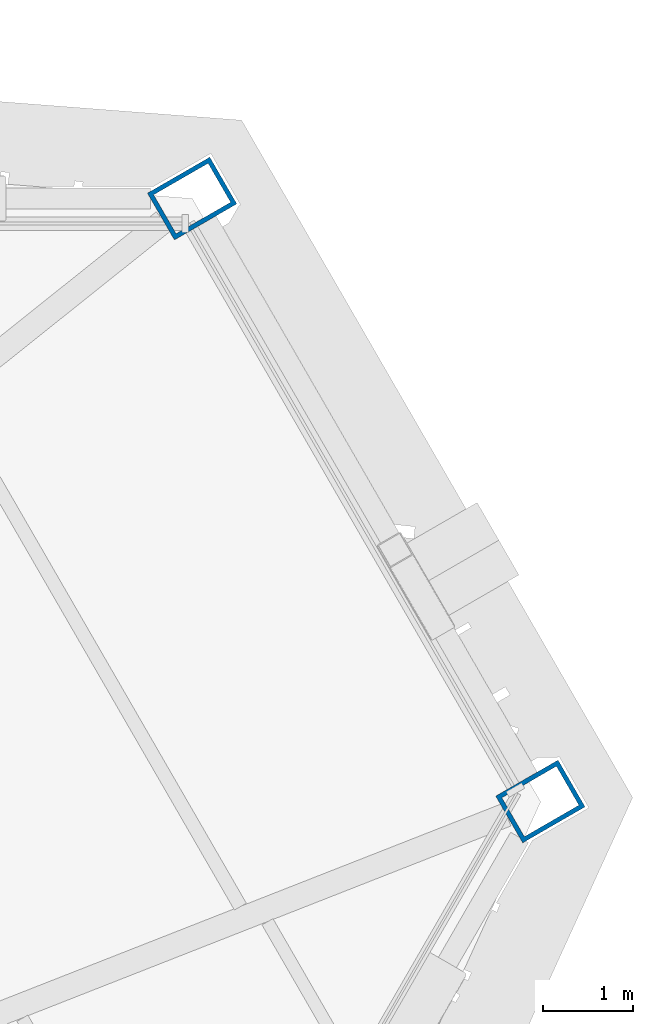
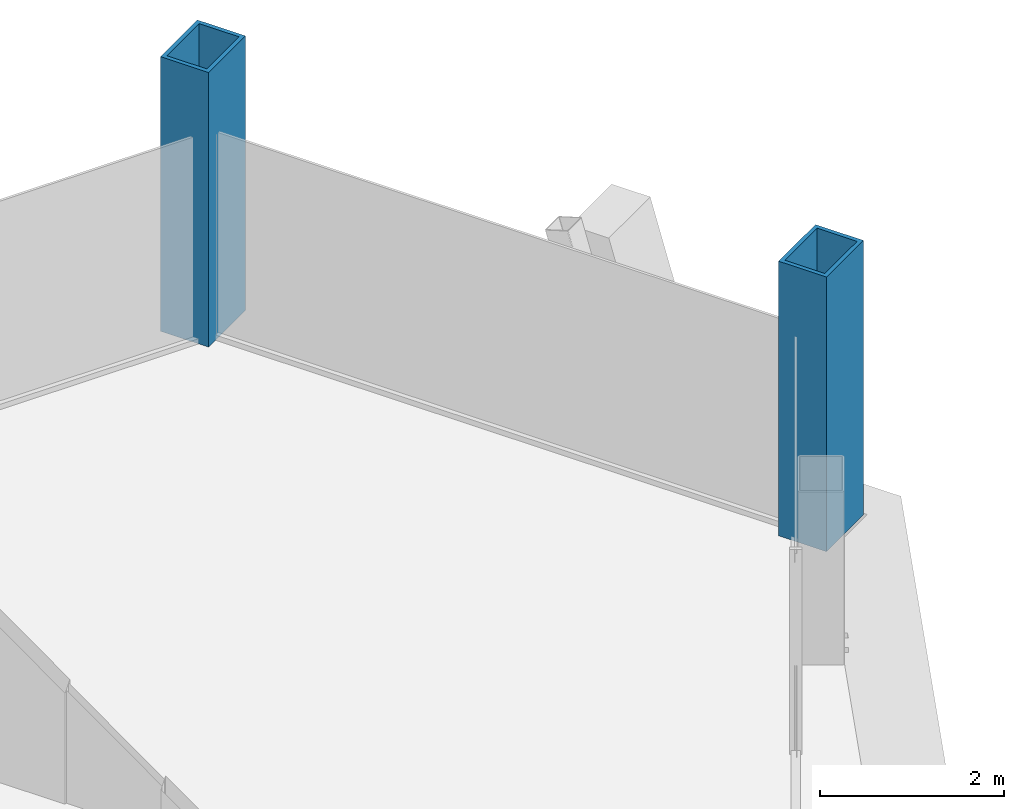
# One storey, part 2 of 17: 2 columns.
"""IFC4 building model written with IfcOpenShell, lengths in metres."""

from ifc_helpers import new_model, si_unit, direction, frame, origin, origin_2d, place, context, subcontext, project, spatial, hollow_rectangle, extrude, material, material_profile, profile_set, type_object, element, save


model = new_model("IFC4")

# Units and contexts
model_context = context("Model", 3, precision=1e-05, world=origin(), true_north=direction((0.0, 1.0)))
body_context = subcontext(model_context, "Body", "Model", "MODEL_VIEW")
ifc_project = project(units=[si_unit("LENGTHUNIT", "METRE"), si_unit("AREAUNIT", "SQUARE_METRE"), si_unit("VOLUMEUNIT", "CUBIC_METRE"), si_unit("PLANEANGLEUNIT", "RADIAN"), si_unit("MASSUNIT", "GRAM", prefix="KILO")], contexts=[model_context])

# Site, building, storey
site_placement = place(None, origin())
site = spatial("IfcSite", under=ifc_project, at=site_placement, CompositionType="ELEMENT")
building_placement = place(site_placement, origin())
building = spatial("IfcBuilding", under=site, at=building_placement, Name="Verrane Prism Tower", CompositionType="ELEMENT")
storey_placement = place(building_placement, frame((0.0, 0.0, 182.10009765625)))
storey = spatial("IfcBuildingStorey", under=building, at=storey_placement, Name="L45", CompositionType="ELEMENT", Elevation=182.10009765625)

# Columns
ifc_material = material(Name="Steel A572 Grade 50", Category="steel")
ifc_material_profile = material_profile(ifc_material, hollow_rectangle(XDim=0.60009765625, YDim=0.800048828125, WallThickness=0.050048828125, at=origin_2d()), Name="BOX 800x600x50")
ifc_profile_set = profile_set([ifc_material_profile], Name="Steel A572 Grade 50")
column_type = type_object("IfcColumnType", Name="Megacolumn BOX 800x600x50", PredefinedType="COLUMN", material=ifc_profile_set)
for number, where, z_axis, x_axis, name in (
    (1, (23.449951171875, 18.010009765625, 0.0), (0.0, 0.0, 1.0), (0.5, -0.866025403784, 0.0), "Megacolumn MC-NE.b L45"),
    (2, (27.320068359375, 11.31005859375, 0.0), (0.0, 0.0, 1.0), (0.5, -0.866025403784, 0.0), "Megacolumn MC-NE.a L45"),
):
    element("IfcColumn", number, at=place(storey_placement, frame(where, z_axis=z_axis, x_axis=x_axis)), inside=storey, type_object=column_type, Name=name, PredefinedType="COLUMN", context=body_context, shape_type="SweptSolid", body=[
        extrude(hollow_rectangle(XDim=0.60009765625, YDim=0.800048828125, WallThickness=0.050048828125, at=origin_2d()), origin(), (0.0, 0.0, 1.0), 3.635009765625),
    ])

save(model, "model.ifc")
